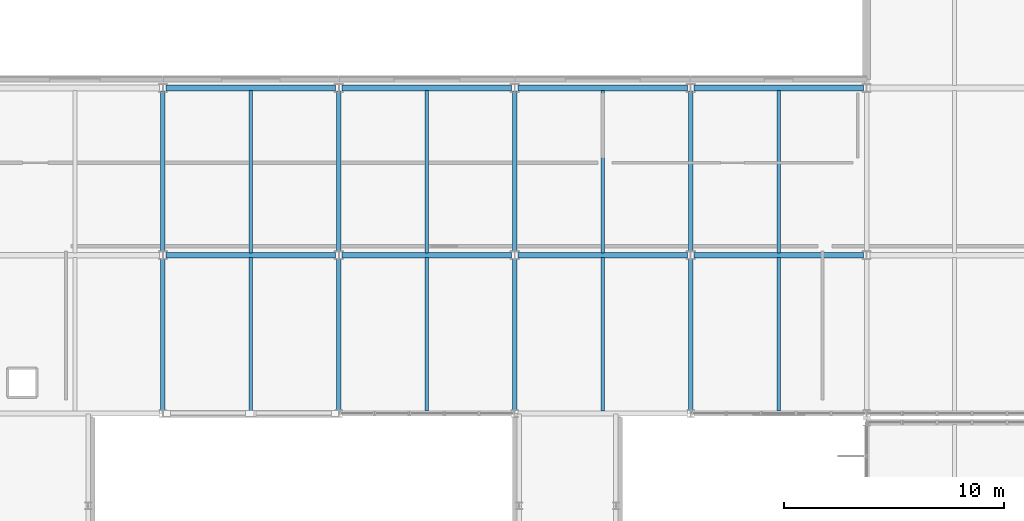
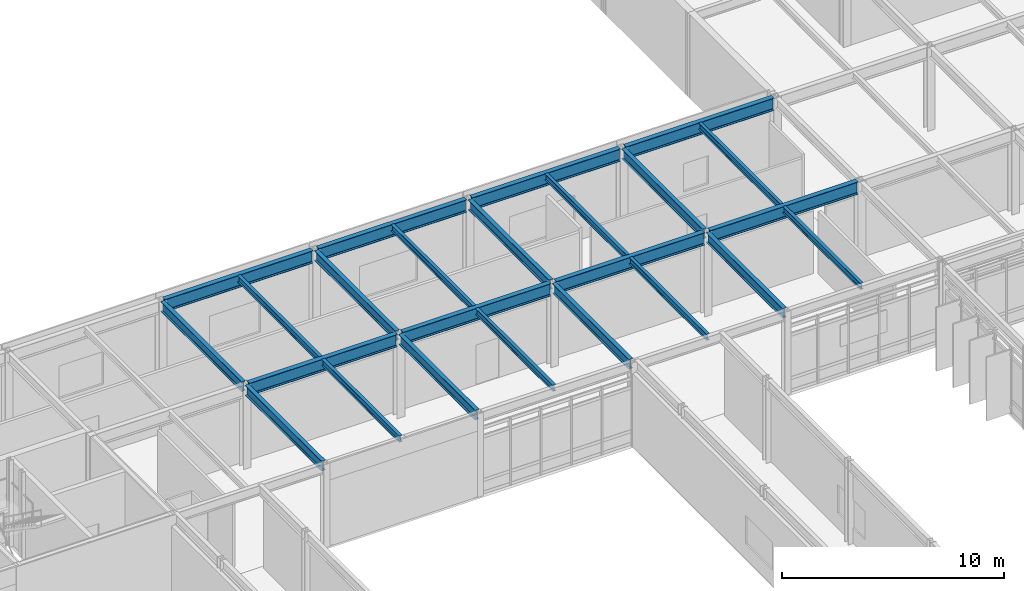
# One storey, part 34 of 104: 24 beams.
"""IFC4 building model written with IfcOpenShell, lengths in metres."""

from ifc_helpers import new_model, si_unit, direction, frame, origin, origin_2d, place, context, subcontext, project, spatial, i_section, extrude, material, material_profile, profile_set, type_object, element, save


model = new_model("IFC4")

# Units and contexts
model_context = context("Model", 3, precision=1e-05, world=origin(), true_north=direction((0.0, 1.0)))
body_context = subcontext(model_context, "Body", "Model", "MODEL_VIEW")
ifc_project = project(units=[si_unit("LENGTHUNIT", "METRE"), si_unit("AREAUNIT", "SQUARE_METRE"), si_unit("VOLUMEUNIT", "CUBIC_METRE"), si_unit("PLANEANGLEUNIT", "RADIAN"), si_unit("MASSUNIT", "GRAM", prefix="KILO")], contexts=[model_context])

# Site, building, storey
site_placement = place(None, origin())
site = spatial("IfcSite", under=ifc_project, at=site_placement, CompositionType="ELEMENT")
building_placement = place(site_placement, origin())
building = spatial("IfcBuilding", under=site, at=building_placement, Name="Zulena Civic Courthouse", CompositionType="ELEMENT")
storey_placement = place(building_placement, frame((0.0, 0.0, 10.800048828125)))
storey = spatial("IfcBuildingStorey", under=building, at=storey_placement, Name="L02", CompositionType="ELEMENT", Elevation=10.800048828125)

# Beams
ifc_material = material(Name="Steel ASTM A992 Grade 50", Category="steel")
ifc_material_profile_1 = material_profile(ifc_material, i_section(OverallWidth=0.2099609375, OverallDepth=0.537109375, WebThickness=0.010986328125, FlangeThickness=0.017333984375, FilletRadius=0.0126953125, at=origin_2d()), Name="W21X68")
ifc_profile_set_1 = profile_set([ifc_material_profile_1], Name="Steel ASTM A992 Grade 50")
beam_type_1 = type_object("IfcBeamType", Name="Girder_W21X68", PredefinedType="BEAM", material=ifc_profile_set_1)
for number, where, z_axis, x_axis, name in (
    (1, (36.0, 53.344970703125, 4.321533203125), (0.0, 1.0, 0.0), (-1.0, 0.0, 0.0), "beam:Y:V5:L02:36.0:53.2_60.8"),
    (2, (44.0, 53.344970703125, 4.321533203125), (0.0, 1.0, 0.0), (-1.0, 0.0, 0.0), "beam:Y:V5:L02:44.0:53.2_60.8"),
    (3, (52.0, 53.344970703125, 4.321533203125), (0.0, 1.0, 0.0), (-1.0, 0.0, 0.0), "beam:Y:V5:L02:52.0:53.2_60.8"),
    (4, (60.0, 53.344970703125, 4.321533203125), (0.0, 1.0, 0.0), (-1.0, 0.0, 0.0), "beam:Y:V5:L02:60.0:53.2_60.8"),
):
    element("IfcBeam", number, at=place(storey_placement, frame(where, z_axis=z_axis, x_axis=x_axis)), inside=storey, type_object=beam_type_1, Name=name, PredefinedType="BEAM", context=body_context, shape_type="SweptSolid", body=[
        extrude(i_section(OverallWidth=0.2099609375, OverallDepth=0.537109375, WebThickness=0.010986328125, FlangeThickness=0.017333984375, FilletRadius=0.0126953125, at=origin_2d()), origin(), (0.0, 0.0, 1.0), 7.31005859375),
    ])
ifc_material_profile_2 = material_profile(ifc_material, i_section(OverallWidth=0.25390625, OverallDepth=0.68798828125, WebThickness=0.01318359375, FlangeThickness=0.02099609375, FilletRadius=0.0166015625, at=origin_2d()), Name="W27X102")
ifc_profile_set_2 = profile_set([ifc_material_profile_2], Name="Steel ASTM A992 Grade 50")
beam_type_2 = type_object("IfcBeamType", Name="Girder_W27X102", PredefinedType="BEAM", material=ifc_profile_set_2)
for number, where, z_axis, x_axis, name in (
    (5, (36.14501953125, 53.199951171875, 4.245849609375), (1.0, 0.0, 0.0), (0.0, 1.0, 0.0), "beam:X:V5:L02:53.2:36.0_44.0"),
    (6, (44.14501953125, 53.199951171875, 4.245849609375), (1.0, 0.0, 0.0), (0.0, 1.0, 0.0), "beam:X:V5:L02:53.2:44.0_52.0"),
    (7, (52.14501953125, 53.199951171875, 4.245849609375), (1.0, 0.0, 0.0), (0.0, 1.0, 0.0), "beam:X:V5:L02:53.2:52.0_60.0"),
    (8, (60.14501953125, 53.199951171875, 4.245849609375), (1.0, 0.0, 0.0), (0.0, 1.0, 0.0), "beam:X:V5:L02:53.2:60.0_68.0"),
    (9, (36.14501953125, 60.800048828125, 4.245849609375), (1.0, 0.0, 0.0), (0.0, 1.0, 0.0), "beam:X:V5:L02:60.8:36.0_44.0"),
    (10, (44.14501953125, 60.800048828125, 4.245849609375), (1.0, 0.0, 0.0), (0.0, 1.0, 0.0), "beam:X:V5:L02:60.8:44.0_52.0"),
    (11, (52.14501953125, 60.800048828125, 4.245849609375), (1.0, 0.0, 0.0), (0.0, 1.0, 0.0), "beam:X:V5:L02:60.8:52.0_60.0"),
    (12, (60.14501953125, 60.800048828125, 4.245849609375), (1.0, 0.0, 0.0), (0.0, 1.0, 0.0), "beam:X:V5:L02:60.8:60.0_68.0"),
):
    element("IfcBeam", number, at=place(storey_placement, frame(where, z_axis=z_axis, x_axis=x_axis)), inside=storey, type_object=beam_type_2, Name=name, PredefinedType="BEAM", context=body_context, shape_type="SweptSolid", body=[
        extrude(i_section(OverallWidth=0.25390625, OverallDepth=0.68798828125, WebThickness=0.01318359375, FlangeThickness=0.02099609375, FilletRadius=0.0166015625, at=origin_2d()), origin(), (0.0, 0.0, 1.0), 7.7099609375),
    ])
ifc_material_profile_3 = material_profile(ifc_material, i_section(OverallWidth=0.1708984375, OverallDepth=0.35205078125, WebThickness=0.0068359375, FlangeThickness=0.009765625, FilletRadius=0.01025390625, at=origin_2d()), Name="W14X30")
ifc_profile_set_3 = profile_set([ifc_material_profile_3], Name="Steel ASTM A992 Grade 50")
beam_type_3 = type_object("IfcBeamType", Name="Joist_W14X30", PredefinedType="JOIST", material=ifc_profile_set_3)
beam_1_placement = place(storey_placement, frame((40.0, 46.10498046875, 4.4140625), z_axis=(0.0, 1.0, 0.0), x_axis=(-1.0, 0.0, 0.0)))
element("IfcBeam", 13, at=beam_1_placement, inside=storey, type_object=beam_type_3, Name="joist:V5:L02:40.00:46.0_53.2", PredefinedType="JOIST", context=body_context, shape_type="SweptSolid", body=[
    extrude(i_section(OverallWidth=0.1708984375, OverallDepth=0.35205078125, WebThickness=0.0068359375, FlangeThickness=0.009765625, FilletRadius=0.01025390625, at=origin_2d()), origin(), (0.0, 0.0, 1.0), 6.989990234375),
])
beam_2_placement = place(storey_placement, frame((40.0, 53.304931640625, 4.4140625), z_axis=(0.0, 1.0, 0.0), x_axis=(-1.0, 0.0, 0.0)))
element("IfcBeam", 14, at=beam_2_placement, inside=storey, type_object=beam_type_3, Name="joist:V5:L02:40.00:53.2_60.8", PredefinedType="JOIST", context=body_context, shape_type="SweptSolid", body=[
    extrude(i_section(OverallWidth=0.1708984375, OverallDepth=0.35205078125, WebThickness=0.0068359375, FlangeThickness=0.009765625, FilletRadius=0.01025390625, at=origin_2d()), origin(), (0.0, 0.0, 1.0), 7.39013671875),
])
beam_3_placement = place(storey_placement, frame((48.0, 46.10498046875, 4.4140625), z_axis=(0.0, 1.0, 0.0), x_axis=(-1.0, 0.0, 0.0)))
element("IfcBeam", 15, at=beam_3_placement, inside=storey, type_object=beam_type_3, Name="joist:V5:L02:48.00:46.0_53.2", PredefinedType="JOIST", context=body_context, shape_type="SweptSolid", body=[
    extrude(i_section(OverallWidth=0.1708984375, OverallDepth=0.35205078125, WebThickness=0.0068359375, FlangeThickness=0.009765625, FilletRadius=0.01025390625, at=origin_2d()), origin(), (0.0, 0.0, 1.0), 6.989990234375),
])
beam_4_placement = place(storey_placement, frame((48.0, 53.304931640625, 4.4140625), z_axis=(0.0, 1.0, 0.0), x_axis=(-1.0, 0.0, 0.0)))
element("IfcBeam", 16, at=beam_4_placement, inside=storey, type_object=beam_type_3, Name="joist:V5:L02:48.00:53.2_60.8", PredefinedType="JOIST", context=body_context, shape_type="SweptSolid", body=[
    extrude(i_section(OverallWidth=0.1708984375, OverallDepth=0.35205078125, WebThickness=0.0068359375, FlangeThickness=0.009765625, FilletRadius=0.01025390625, at=origin_2d()), origin(), (0.0, 0.0, 1.0), 7.39013671875),
])
beam_5_placement = place(storey_placement, frame((56.0, 46.10498046875, 4.4140625), z_axis=(0.0, 1.0, 0.0), x_axis=(-1.0, 0.0, 0.0)))
element("IfcBeam", 17, at=beam_5_placement, inside=storey, type_object=beam_type_3, Name="joist:V5:L02:56.00:46.0_53.2", PredefinedType="JOIST", context=body_context, shape_type="SweptSolid", body=[
    extrude(i_section(OverallWidth=0.1708984375, OverallDepth=0.35205078125, WebThickness=0.0068359375, FlangeThickness=0.009765625, FilletRadius=0.01025390625, at=origin_2d()), origin(), (0.0, 0.0, 1.0), 6.989990234375),
])
beam_6_placement = place(storey_placement, frame((56.0, 53.304931640625, 4.4140625), z_axis=(0.0, 1.0, 0.0), x_axis=(-1.0, 0.0, 0.0)))
element("IfcBeam", 18, at=beam_6_placement, inside=storey, type_object=beam_type_3, Name="joist:V5:L02:56.00:53.2_60.8", PredefinedType="JOIST", context=body_context, shape_type="SweptSolid", body=[
    extrude(i_section(OverallWidth=0.1708984375, OverallDepth=0.35205078125, WebThickness=0.0068359375, FlangeThickness=0.009765625, FilletRadius=0.01025390625, at=origin_2d()), origin(), (0.0, 0.0, 1.0), 7.39013671875),
])
beam_7_placement = place(storey_placement, frame((64.0, 46.10498046875, 4.4140625), z_axis=(0.0, 1.0, 0.0), x_axis=(-1.0, 0.0, 0.0)))
element("IfcBeam", 19, at=beam_7_placement, inside=storey, type_object=beam_type_3, Name="joist:V5:L02:64.00:46.0_53.2", PredefinedType="JOIST", context=body_context, shape_type="SweptSolid", body=[
    extrude(i_section(OverallWidth=0.1708984375, OverallDepth=0.35205078125, WebThickness=0.0068359375, FlangeThickness=0.009765625, FilletRadius=0.01025390625, at=origin_2d()), origin(), (0.0, 0.0, 1.0), 6.989990234375),
])
beam_8_placement = place(storey_placement, frame((64.0, 53.304931640625, 4.4140625), z_axis=(0.0, 1.0, 0.0), x_axis=(-1.0, 0.0, 0.0)))
element("IfcBeam", 20, at=beam_8_placement, inside=storey, type_object=beam_type_3, Name="joist:V5:L02:64.00:53.2_60.8", PredefinedType="JOIST", context=body_context, shape_type="SweptSolid", body=[
    extrude(i_section(OverallWidth=0.1708984375, OverallDepth=0.35205078125, WebThickness=0.0068359375, FlangeThickness=0.009765625, FilletRadius=0.01025390625, at=origin_2d()), origin(), (0.0, 0.0, 1.0), 7.39013671875),
])
ifc_material_profile_4 = material_profile(ifc_material, i_section(OverallWidth=0.2099609375, OverallDepth=0.537109375, WebThickness=0.010986328125, FlangeThickness=0.017333984375, FilletRadius=0.0126953125, at=origin_2d()), Name="W21X68")
ifc_profile_set_4 = profile_set([ifc_material_profile_4], Name="Steel ASTM A992 Grade 50")
beam_type_4 = type_object("IfcBeamType", Name="Spandrel_W21X68", PredefinedType="SPANDREL", material=ifc_profile_set_4)
for number, where, z_axis, x_axis, name in (
    (21, (36.0, 46.14501953125, 4.321533203125), (0.0, 1.0, 0.0), (-1.0, 0.0, 0.0), "beam:Y:V5:L02:36.0:46.0_53.2"),
    (22, (44.0, 46.14501953125, 4.321533203125), (0.0, 1.0, 0.0), (-1.0, 0.0, 0.0), "beam:Y:V5:L02:44.0:46.0_53.2"),
    (23, (52.0, 46.14501953125, 4.321533203125), (0.0, 1.0, 0.0), (-1.0, 0.0, 0.0), "beam:Y:V5:L02:52.0:46.0_53.2"),
    (24, (60.0, 46.14501953125, 4.321533203125), (0.0, 1.0, 0.0), (-1.0, 0.0, 0.0), "beam:Y:V5:L02:60.0:46.0_53.2"),
):
    element("IfcBeam", number, at=place(storey_placement, frame(where, z_axis=z_axis, x_axis=x_axis)), inside=storey, type_object=beam_type_4, Name=name, PredefinedType="SPANDREL", context=body_context, shape_type="SweptSolid", body=[
        extrude(i_section(OverallWidth=0.2099609375, OverallDepth=0.537109375, WebThickness=0.010986328125, FlangeThickness=0.017333984375, FilletRadius=0.0126953125, at=origin_2d()), origin(), (0.0, 0.0, 1.0), 6.909912109375),
    ])

save(model, "model.ifc")
